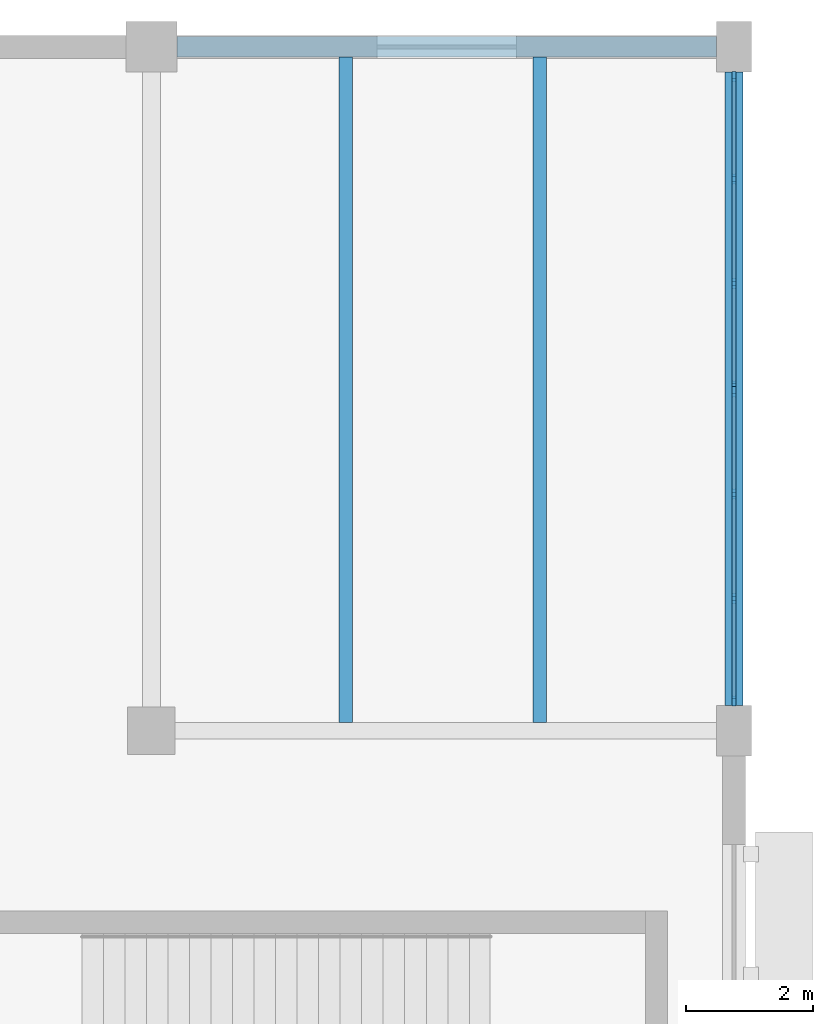
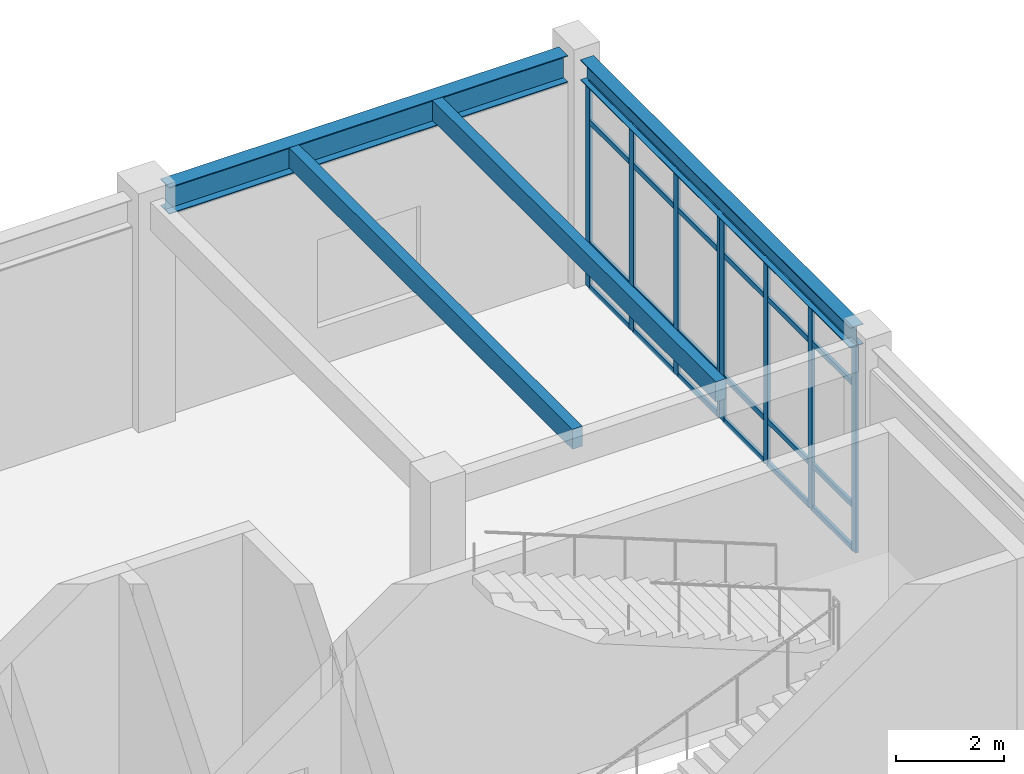
# One storey, part 36 of 72: 32 members, 4 beams, 2 elements without a shape of their own.
"""IFC4 building model written with IfcOpenShell, lengths in metres."""

from ifc_helpers import new_model, si_unit, direction, frame, origin, origin_2d, place, context, subcontext, project, spatial, rectangle, i_section, extrude, material, material_profile, profile_set, type_object, element, aggregate, save


model = new_model("IFC4")

# Units and contexts
model_context = context("Model", 3, precision=1e-05, world=origin(), true_north=direction((0.0, 1.0)))
body_context = subcontext(model_context, "Body", "Model", "MODEL_VIEW")
ifc_project = project(units=[si_unit("LENGTHUNIT", "METRE"), si_unit("AREAUNIT", "SQUARE_METRE"), si_unit("VOLUMEUNIT", "CUBIC_METRE"), si_unit("PLANEANGLEUNIT", "RADIAN"), si_unit("MASSUNIT", "GRAM", prefix="KILO")], contexts=[model_context])

# Site, building, storey
site_placement = place(None, origin())
site = spatial("IfcSite", under=ifc_project, at=site_placement, CompositionType="ELEMENT")
building_placement = place(site_placement, origin())
building = spatial("IfcBuilding", under=site, at=building_placement, Name="Veldera Park Congress Hotel", CompositionType="ELEMENT")
storey_placement = place(building_placement, frame((0.0, 0.0, 5.39990234375)))
storey = spatial("IfcBuildingStorey", under=building, at=storey_placement, Name="L01", CompositionType="ELEMENT", Elevation=5.39990234375)

# Curtain wall, members
ifc_material_1 = material(Name="Low-E Triple Insulating Glass Unit (SHGC 0.22)", Category="glass")
curtain_wall_type = type_object("IfcCurtainWallType", Name="CW-HTL", PredefinedType="NOTDEFINED", material=ifc_material_1)
curtain_wall_1_placement = place(storey_placement, origin())
curtain_wall_1 = element("IfcCurtainWall", 1, at=curtain_wall_1_placement, inside=storey, type_object=curtain_wall_type, Name="L01 Curtain Wall CW3-HTLNE-L01-090", PredefinedType="NOTDEFINED")
ifc_material_2 = material(Name="Anodised Aluminium Alloy 6063-T6", Category="aluminium")
ifc_material_profile_1 = material_profile(ifc_material_2, rectangle(XDim=0.06005859375, YDim=0.159912109375, at=origin_2d()), Name="ALU 60x160")
ifc_profile_set_1 = profile_set([ifc_material_profile_1], Name="Anodised Aluminium Alloy 6063-T6")
member_type_1 = type_object("IfcMemberType", Name="CWM-160", PredefinedType="MULLION", material=ifc_profile_set_1)
member_1_placement = place(storey_placement, frame((84.0, 47.669921875, 0.0), z_axis=(0.0, 0.0, 1.0), x_axis=(-1.0, 0.0, 0.0)))
member_1 = element("IfcMember", 2, at=member_1_placement, type_object=member_type_1, Name="CW-HTL mullion 1", PredefinedType="MULLION", context=body_context, shape_type="SweptSolid", body=[
    extrude(rectangle(XDim=0.06005859375, YDim=0.159912109375, at=origin_2d()), origin(), (0.0, 0.0, 1.0), 4.662109375),
])
member_2_placement = place(storey_placement, frame((84.0, 49.288330078125, 0.0), z_axis=(0.0, 0.0, 1.0), x_axis=(-1.0, 0.0, 0.0)))
member_2 = element("IfcMember", 3, at=member_2_placement, type_object=member_type_1, Name="CW-HTL mullion 2", PredefinedType="MULLION", context=body_context, shape_type="SweptSolid", body=[
    extrude(rectangle(XDim=0.06005859375, YDim=0.159912109375, at=origin_2d()), origin(), (0.0, 0.0, 1.0), 4.662109375),
])
member_3_placement = place(storey_placement, frame((84.0, 50.936767578125, 0.0), z_axis=(0.0, 0.0, 1.0), x_axis=(-1.0, 0.0, 0.0)))
member_3 = element("IfcMember", 4, at=member_3_placement, type_object=member_type_1, Name="CW-HTL mullion 3", PredefinedType="MULLION", context=body_context, shape_type="SweptSolid", body=[
    extrude(rectangle(XDim=0.06005859375, YDim=0.159912109375, at=origin_2d()), origin(), (0.0, 0.0, 1.0), 4.662109375),
])
member_4_placement = place(storey_placement, frame((84.0, 52.554931640625, 0.0), z_axis=(0.0, 0.0, 1.0), x_axis=(-1.0, 0.0, 0.0)))
member_4 = element("IfcMember", 5, at=member_4_placement, type_object=member_type_1, Name="CW-HTL mullion 4", PredefinedType="MULLION", context=body_context, shape_type="SweptSolid", body=[
    extrude(rectangle(XDim=0.06005859375, YDim=0.159912109375, at=origin_2d()), origin(), (0.0, 0.0, 1.0), 4.662109375),
])

curtain_wall_2_placement = place(storey_placement, origin())
curtain_wall_2 = element("IfcCurtainWall", 6, at=curtain_wall_2_placement, inside=storey, type_object=curtain_wall_type, Name="L01 Curtain Wall CW3-HTLNE-L01-091", PredefinedType="NOTDEFINED")
member_5_placement = place(storey_placement, frame((84.0, 52.64501953125, 0.0), z_axis=(0.0, 0.0, 1.0), x_axis=(-1.0, 0.0, 0.0)))
member_5 = element("IfcMember", 7, at=member_5_placement, type_object=member_type_1, Name="CW-HTL mullion 1", PredefinedType="MULLION", context=body_context, shape_type="SweptSolid", body=[
    extrude(rectangle(XDim=0.06005859375, YDim=0.159912109375, at=origin_2d()), origin(), (0.0, 0.0, 1.0), 4.662109375),
])
member_6_placement = place(storey_placement, frame((84.0, 54.263427734375, 0.0), z_axis=(0.0, 0.0, 1.0), x_axis=(-1.0, 0.0, 0.0)))
member_6 = element("IfcMember", 8, at=member_6_placement, type_object=member_type_1, Name="CW-HTL mullion 2", PredefinedType="MULLION", context=body_context, shape_type="SweptSolid", body=[
    extrude(rectangle(XDim=0.06005859375, YDim=0.159912109375, at=origin_2d()), origin(), (0.0, 0.0, 1.0), 4.662109375),
])
member_7_placement = place(storey_placement, frame((84.0, 55.91162109375, 0.0), z_axis=(0.0, 0.0, 1.0), x_axis=(-1.0, 0.0, 0.0)))
member_7 = element("IfcMember", 9, at=member_7_placement, type_object=member_type_1, Name="CW-HTL mullion 3", PredefinedType="MULLION", context=body_context, shape_type="SweptSolid", body=[
    extrude(rectangle(XDim=0.06005859375, YDim=0.159912109375, at=origin_2d()), origin(), (0.0, 0.0, 1.0), 4.662109375),
])
member_8_placement = place(storey_placement, frame((84.0, 57.530029296875, 0.0), z_axis=(0.0, 0.0, 1.0), x_axis=(-1.0, 0.0, 0.0)))
member_8 = element("IfcMember", 10, at=member_8_placement, type_object=member_type_1, Name="CW-HTL mullion 4", PredefinedType="MULLION", context=body_context, shape_type="SweptSolid", body=[
    extrude(rectangle(XDim=0.06005859375, YDim=0.159912109375, at=origin_2d()), origin(), (0.0, 0.0, 1.0), 4.662109375),
])

# Member
ifc_material_profile_2 = material_profile(ifc_material_2, rectangle(XDim=0.06005859375, YDim=0.1201171875, at=origin_2d()), Name="ALU 60x120")
ifc_profile_set_2 = profile_set([ifc_material_profile_2], Name="Anodised Aluminium Alloy 6063-T6")
member_type_2 = type_object("IfcMemberType", Name="CWT-120", PredefinedType="USERDEFINED", material=ifc_profile_set_2)
member_9_placement = place(storey_placement, frame((84.0, 47.699951171875, 0.030029296875), z_axis=(0.0, 1.0, 0.0), x_axis=(-1.0, 0.0, 0.0)))
member_9 = element("IfcMember", 11, at=member_9_placement, type_object=member_type_2, Name="CW-HTL transom 1.1", ObjectType="TRANSOM", PredefinedType="USERDEFINED", context=body_context, shape_type="SweptSolid", body=[
    extrude(rectangle(XDim=0.06005859375, YDim=0.1201171875, at=origin_2d()), origin(), (0.0, 0.0, 1.0), 1.558349609375),
])

member_10_placement = place(storey_placement, frame((84.0, 47.699951171875, 1.0), z_axis=(0.0, 1.0, 0.0), x_axis=(-1.0, 0.0, 0.0)))
member_10 = element("IfcMember", 12, at=member_10_placement, type_object=member_type_2, Name="CW-HTL transom 1.2", ObjectType="TRANSOM", PredefinedType="USERDEFINED", context=body_context, shape_type="SweptSolid", body=[
    extrude(rectangle(XDim=0.06005859375, YDim=0.1201171875, at=origin_2d()), origin(), (0.0, 0.0, 1.0), 1.558349609375),
])

member_11_placement = place(storey_placement, frame((84.0, 47.699951171875, 3.76220703125), z_axis=(0.0, 1.0, 0.0), x_axis=(-1.0, 0.0, 0.0)))
member_11 = element("IfcMember", 13, at=member_11_placement, type_object=member_type_2, Name="CW-HTL transom 1.3", ObjectType="TRANSOM", PredefinedType="USERDEFINED", context=body_context, shape_type="SweptSolid", body=[
    extrude(rectangle(XDim=0.06005859375, YDim=0.1201171875, at=origin_2d()), origin(), (0.0, 0.0, 1.0), 1.558349609375),
])

member_12_placement = place(storey_placement, frame((84.0, 47.699951171875, 4.632080078125), z_axis=(0.0, 1.0, 0.0), x_axis=(-1.0, 0.0, 0.0)))
member_12 = element("IfcMember", 14, at=member_12_placement, type_object=member_type_2, Name="CW-HTL transom 1.4", ObjectType="TRANSOM", PredefinedType="USERDEFINED", context=body_context, shape_type="SweptSolid", body=[
    extrude(rectangle(XDim=0.06005859375, YDim=0.1201171875, at=origin_2d()), origin(), (0.0, 0.0, 1.0), 1.558349609375),
])

member_13_placement = place(storey_placement, frame((84.0, 49.318359375, 0.030029296875), z_axis=(0.0, 1.0, 0.0), x_axis=(-1.0, 0.0, 0.0)))
member_13 = element("IfcMember", 15, at=member_13_placement, type_object=member_type_2, Name="CW-HTL transom 2.1", ObjectType="TRANSOM", PredefinedType="USERDEFINED", context=body_context, shape_type="SweptSolid", body=[
    extrude(rectangle(XDim=0.06005859375, YDim=0.1201171875, at=origin_2d()), origin(), (0.0, 0.0, 1.0), 1.58837890625),
])

member_14_placement = place(storey_placement, frame((84.0, 49.318359375, 1.0), z_axis=(0.0, 1.0, 0.0), x_axis=(-1.0, 0.0, 0.0)))
member_14 = element("IfcMember", 16, at=member_14_placement, type_object=member_type_2, Name="CW-HTL transom 2.2", ObjectType="TRANSOM", PredefinedType="USERDEFINED", context=body_context, shape_type="SweptSolid", body=[
    extrude(rectangle(XDim=0.06005859375, YDim=0.1201171875, at=origin_2d()), origin(), (0.0, 0.0, 1.0), 1.58837890625),
])

member_15_placement = place(storey_placement, frame((84.0, 49.318359375, 3.76220703125), z_axis=(0.0, 1.0, 0.0), x_axis=(-1.0, 0.0, 0.0)))
member_15 = element("IfcMember", 17, at=member_15_placement, type_object=member_type_2, Name="CW-HTL transom 2.3", ObjectType="TRANSOM", PredefinedType="USERDEFINED", context=body_context, shape_type="SweptSolid", body=[
    extrude(rectangle(XDim=0.06005859375, YDim=0.1201171875, at=origin_2d()), origin(), (0.0, 0.0, 1.0), 1.58837890625),
])

member_16_placement = place(storey_placement, frame((84.0, 49.318359375, 4.632080078125), z_axis=(0.0, 1.0, 0.0), x_axis=(-1.0, 0.0, 0.0)))
member_16 = element("IfcMember", 18, at=member_16_placement, type_object=member_type_2, Name="CW-HTL transom 2.4", ObjectType="TRANSOM", PredefinedType="USERDEFINED", context=body_context, shape_type="SweptSolid", body=[
    extrude(rectangle(XDim=0.06005859375, YDim=0.1201171875, at=origin_2d()), origin(), (0.0, 0.0, 1.0), 1.58837890625),
])

member_17_placement = place(storey_placement, frame((84.0, 50.966552734375, 0.030029296875), z_axis=(0.0, 1.0, 0.0), x_axis=(-1.0, 0.0, 0.0)))
member_17 = element("IfcMember", 19, at=member_17_placement, type_object=member_type_2, Name="CW-HTL transom 3.1", ObjectType="TRANSOM", PredefinedType="USERDEFINED", context=body_context, shape_type="SweptSolid", body=[
    extrude(rectangle(XDim=0.06005859375, YDim=0.1201171875, at=origin_2d()), origin(), (0.0, 0.0, 1.0), 1.558349609375),
])

member_18_placement = place(storey_placement, frame((84.0, 50.966552734375, 1.0), z_axis=(0.0, 1.0, 0.0), x_axis=(-1.0, 0.0, 0.0)))
member_18 = element("IfcMember", 20, at=member_18_placement, type_object=member_type_2, Name="CW-HTL transom 3.2", ObjectType="TRANSOM", PredefinedType="USERDEFINED", context=body_context, shape_type="SweptSolid", body=[
    extrude(rectangle(XDim=0.06005859375, YDim=0.1201171875, at=origin_2d()), origin(), (0.0, 0.0, 1.0), 1.558349609375),
])

member_19_placement = place(storey_placement, frame((84.0, 50.966552734375, 3.76220703125), z_axis=(0.0, 1.0, 0.0), x_axis=(-1.0, 0.0, 0.0)))
member_19 = element("IfcMember", 21, at=member_19_placement, type_object=member_type_2, Name="CW-HTL transom 3.3", ObjectType="TRANSOM", PredefinedType="USERDEFINED", context=body_context, shape_type="SweptSolid", body=[
    extrude(rectangle(XDim=0.06005859375, YDim=0.1201171875, at=origin_2d()), origin(), (0.0, 0.0, 1.0), 1.558349609375),
])

member_20_placement = place(storey_placement, frame((84.0, 50.966552734375, 4.632080078125), z_axis=(0.0, 1.0, 0.0), x_axis=(-1.0, 0.0, 0.0)))
member_20 = element("IfcMember", 22, at=member_20_placement, type_object=member_type_2, Name="CW-HTL transom 3.4", ObjectType="TRANSOM", PredefinedType="USERDEFINED", context=body_context, shape_type="SweptSolid", body=[
    extrude(rectangle(XDim=0.06005859375, YDim=0.1201171875, at=origin_2d()), origin(), (0.0, 0.0, 1.0), 1.558349609375),
])

aggregate(curtain_wall_1, [member_1, member_2, member_3, member_4, member_9, member_10, member_11, member_12, member_13, member_14, member_15, member_16, member_17, member_18, member_19, member_20])

member_21_placement = place(storey_placement, frame((84.0, 52.675048828125, 0.030029296875), z_axis=(0.0, 1.0, 0.0), x_axis=(-1.0, 0.0, 0.0)))
member_21 = element("IfcMember", 23, at=member_21_placement, type_object=member_type_2, Name="CW-HTL transom 1.1", ObjectType="TRANSOM", PredefinedType="USERDEFINED", context=body_context, shape_type="SweptSolid", body=[
    extrude(rectangle(XDim=0.06005859375, YDim=0.1201171875, at=origin_2d()), origin(), (0.0, 0.0, 1.0), 1.558349609375),
])

member_22_placement = place(storey_placement, frame((84.0, 52.675048828125, 1.0), z_axis=(0.0, 1.0, 0.0), x_axis=(-1.0, 0.0, 0.0)))
member_22 = element("IfcMember", 24, at=member_22_placement, type_object=member_type_2, Name="CW-HTL transom 1.2", ObjectType="TRANSOM", PredefinedType="USERDEFINED", context=body_context, shape_type="SweptSolid", body=[
    extrude(rectangle(XDim=0.06005859375, YDim=0.1201171875, at=origin_2d()), origin(), (0.0, 0.0, 1.0), 1.558349609375),
])

member_23_placement = place(storey_placement, frame((84.0, 52.675048828125, 3.76220703125), z_axis=(0.0, 1.0, 0.0), x_axis=(-1.0, 0.0, 0.0)))
member_23 = element("IfcMember", 25, at=member_23_placement, type_object=member_type_2, Name="CW-HTL transom 1.3", ObjectType="TRANSOM", PredefinedType="USERDEFINED", context=body_context, shape_type="SweptSolid", body=[
    extrude(rectangle(XDim=0.06005859375, YDim=0.1201171875, at=origin_2d()), origin(), (0.0, 0.0, 1.0), 1.558349609375),
])

member_24_placement = place(storey_placement, frame((84.0, 52.675048828125, 4.632080078125), z_axis=(0.0, 1.0, 0.0), x_axis=(-1.0, 0.0, 0.0)))
member_24 = element("IfcMember", 26, at=member_24_placement, type_object=member_type_2, Name="CW-HTL transom 1.4", ObjectType="TRANSOM", PredefinedType="USERDEFINED", context=body_context, shape_type="SweptSolid", body=[
    extrude(rectangle(XDim=0.06005859375, YDim=0.1201171875, at=origin_2d()), origin(), (0.0, 0.0, 1.0), 1.558349609375),
])

member_25_placement = place(storey_placement, frame((84.0, 54.293212890625, 0.030029296875), z_axis=(0.0, 1.0, 0.0), x_axis=(-1.0, 0.0, 0.0)))
member_25 = element("IfcMember", 27, at=member_25_placement, type_object=member_type_2, Name="CW-HTL transom 2.1", ObjectType="TRANSOM", PredefinedType="USERDEFINED", context=body_context, shape_type="SweptSolid", body=[
    extrude(rectangle(XDim=0.06005859375, YDim=0.1201171875, at=origin_2d()), origin(), (0.0, 0.0, 1.0), 1.58837890625),
])

member_26_placement = place(storey_placement, frame((84.0, 54.293212890625, 1.0), z_axis=(0.0, 1.0, 0.0), x_axis=(-1.0, 0.0, 0.0)))
member_26 = element("IfcMember", 28, at=member_26_placement, type_object=member_type_2, Name="CW-HTL transom 2.2", ObjectType="TRANSOM", PredefinedType="USERDEFINED", context=body_context, shape_type="SweptSolid", body=[
    extrude(rectangle(XDim=0.06005859375, YDim=0.1201171875, at=origin_2d()), origin(), (0.0, 0.0, 1.0), 1.58837890625),
])

member_27_placement = place(storey_placement, frame((84.0, 54.293212890625, 3.76220703125), z_axis=(0.0, 1.0, 0.0), x_axis=(-1.0, 0.0, 0.0)))
member_27 = element("IfcMember", 29, at=member_27_placement, type_object=member_type_2, Name="CW-HTL transom 2.3", ObjectType="TRANSOM", PredefinedType="USERDEFINED", context=body_context, shape_type="SweptSolid", body=[
    extrude(rectangle(XDim=0.06005859375, YDim=0.1201171875, at=origin_2d()), origin(), (0.0, 0.0, 1.0), 1.58837890625),
])

member_28_placement = place(storey_placement, frame((84.0, 54.293212890625, 4.632080078125), z_axis=(0.0, 1.0, 0.0), x_axis=(-1.0, 0.0, 0.0)))
member_28 = element("IfcMember", 30, at=member_28_placement, type_object=member_type_2, Name="CW-HTL transom 2.4", ObjectType="TRANSOM", PredefinedType="USERDEFINED", context=body_context, shape_type="SweptSolid", body=[
    extrude(rectangle(XDim=0.06005859375, YDim=0.1201171875, at=origin_2d()), origin(), (0.0, 0.0, 1.0), 1.58837890625),
])

member_29_placement = place(storey_placement, frame((84.0, 55.941650390625, 0.030029296875), z_axis=(0.0, 1.0, 0.0), x_axis=(-1.0, 0.0, 0.0)))
member_29 = element("IfcMember", 31, at=member_29_placement, type_object=member_type_2, Name="CW-HTL transom 3.1", ObjectType="TRANSOM", PredefinedType="USERDEFINED", context=body_context, shape_type="SweptSolid", body=[
    extrude(rectangle(XDim=0.06005859375, YDim=0.1201171875, at=origin_2d()), origin(), (0.0, 0.0, 1.0), 1.558349609375),
])

member_30_placement = place(storey_placement, frame((84.0, 55.941650390625, 1.0), z_axis=(0.0, 1.0, 0.0), x_axis=(-1.0, 0.0, 0.0)))
member_30 = element("IfcMember", 32, at=member_30_placement, type_object=member_type_2, Name="CW-HTL transom 3.2", ObjectType="TRANSOM", PredefinedType="USERDEFINED", context=body_context, shape_type="SweptSolid", body=[
    extrude(rectangle(XDim=0.06005859375, YDim=0.1201171875, at=origin_2d()), origin(), (0.0, 0.0, 1.0), 1.558349609375),
])

member_31_placement = place(storey_placement, frame((84.0, 55.941650390625, 3.76220703125), z_axis=(0.0, 1.0, 0.0), x_axis=(-1.0, 0.0, 0.0)))
member_31 = element("IfcMember", 33, at=member_31_placement, type_object=member_type_2, Name="CW-HTL transom 3.3", ObjectType="TRANSOM", PredefinedType="USERDEFINED", context=body_context, shape_type="SweptSolid", body=[
    extrude(rectangle(XDim=0.06005859375, YDim=0.1201171875, at=origin_2d()), origin(), (0.0, 0.0, 1.0), 1.558349609375),
])

member_32_placement = place(storey_placement, frame((84.0, 55.941650390625, 4.632080078125), z_axis=(0.0, 1.0, 0.0), x_axis=(-1.0, 0.0, 0.0)))
member_32 = element("IfcMember", 34, at=member_32_placement, type_object=member_type_2, Name="CW-HTL transom 3.4", ObjectType="TRANSOM", PredefinedType="USERDEFINED", context=body_context, shape_type="SweptSolid", body=[
    extrude(rectangle(XDim=0.06005859375, YDim=0.1201171875, at=origin_2d()), origin(), (0.0, 0.0, 1.0), 1.558349609375),
])

aggregate(curtain_wall_2, [member_5, member_6, member_7, member_8, member_21, member_22, member_23, member_24, member_25, member_26, member_27, member_28, member_29, member_30, member_31, member_32])

# Beams
ifc_material_3 = material(Name="Glulam GL28h (NDS 24F-V4)", Category="wood")
ifc_material_profile_3 = material_profile(ifc_material_3, rectangle(XDim=0.215087890625, YDim=0.449951171875, at=origin_2d()), Name="GL28h 215x450")
ifc_profile_set_3 = profile_set([ifc_material_profile_3], Name="Glulam GL28h (NDS 24F-V4)")
beam_type_1 = type_object("IfcBeamType", Name="JST-GL450", PredefinedType="JOIST", material=ifc_profile_set_3)
for number, where, z_axis, x_axis, name in (
    (35, (77.86669921875, 47.33251953125, 4.905029296875), (0.0, 1.0, 0.0), (-1.0, 0.0, 0.0), "L01 Floor Joist JST-GL450 816"),
    (36, (80.933349609375, 47.33251953125, 4.905029296875), (0.0, 1.0, 0.0), (-1.0, 0.0, 0.0), "L01 Floor Joist JST-GL450 817"),
):
    element("IfcBeam", number, at=place(storey_placement, frame(where, z_axis=z_axis, x_axis=x_axis)), inside=storey, type_object=beam_type_1, Name=name, PredefinedType="JOIST", context=body_context, shape_type="SweptSolid", body=[
        extrude(rectangle(XDim=0.215087890625, YDim=0.449951171875, at=origin_2d()), origin(), (0.0, 0.0, 1.0), 10.50537109375),
    ])
ifc_material_4 = material(Name="Steel ASTM A992 Gr.50", Category="steel")
ifc_material_profile_4 = material_profile(ifc_material_4, i_section(OverallWidth=0.280029296875, OverallDepth=0.462890625, WebThickness=0.0107421875, FlangeThickness=0.017333984375, at=origin_2d()), Name="W18X76")
ifc_profile_set_4 = profile_set([ifc_material_profile_4], Name="Steel ASTM A992 Gr.50")
beam_type_2 = type_object("IfcBeamType", Name="SPN-W18E", PredefinedType="SPANDREL", material=ifc_profile_set_4)
beam_1_placement = place(storey_placement, frame((84.0, 47.60009765625, 4.898681640625), z_axis=(0.0, 1.0, 0.0), x_axis=(-1.0, 0.0, 0.0)))
element("IfcBeam", 37, at=beam_1_placement, inside=storey, type_object=beam_type_2, Name="L01 Girder SPN-W18E 761", PredefinedType="SPANDREL", context=body_context, shape_type="SweptSolid", body=[
    extrude(i_section(OverallWidth=0.280029296875, OverallDepth=0.462890625, WebThickness=0.0107421875, FlangeThickness=0.017333984375, at=origin_2d()), origin(), (0.0, 0.0, 1.0), 10.0),
])
ifc_material_profile_5 = material_profile(ifc_material_4, i_section(OverallWidth=0.323974609375, OverallDepth=0.612060546875, WebThickness=0.0126953125, FlangeThickness=0.01904296875, at=origin_2d()), Name="W24X104")
ifc_profile_set_5 = profile_set([ifc_material_profile_5], Name="Steel ASTM A992 Gr.50")
beam_type_3 = type_object("IfcBeamType", Name="SPN-W24E", PredefinedType="SPANDREL", material=ifc_profile_set_5)
beam_2_placement = place(storey_placement, frame((75.199951171875, 58.0, 4.82421875), z_axis=(1.0, 0.0, 0.0), x_axis=(0.0, 1.0, 0.0)))
element("IfcBeam", 38, at=beam_2_placement, inside=storey, type_object=beam_type_3, Name="L01 Girder SPN-W24E 658", PredefinedType="SPANDREL", context=body_context, shape_type="SweptSolid", body=[
    extrude(i_section(OverallWidth=0.323974609375, OverallDepth=0.612060546875, WebThickness=0.0126953125, FlangeThickness=0.01904296875, at=origin_2d()), origin(), (0.0, 0.0, 1.0), 8.525146484375),
])

save(model, "model.ifc")
